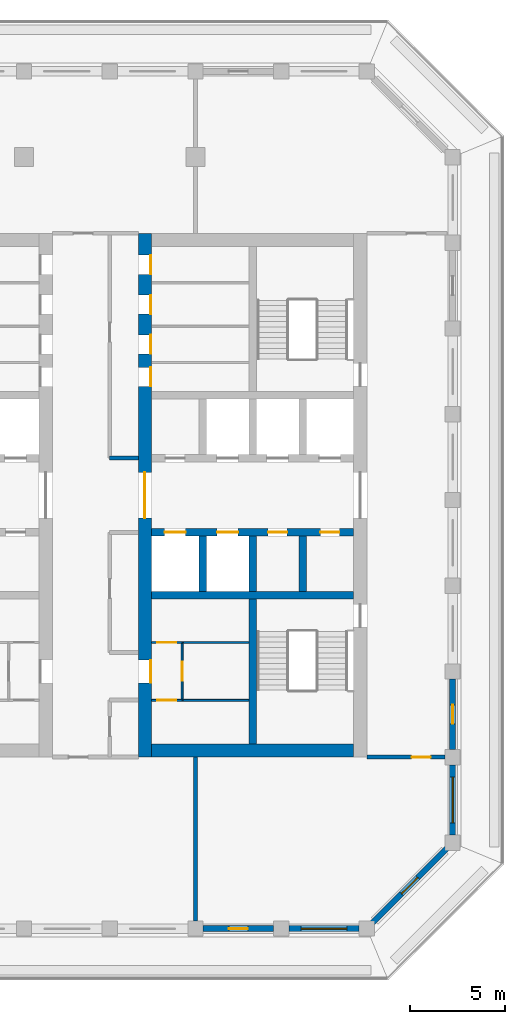
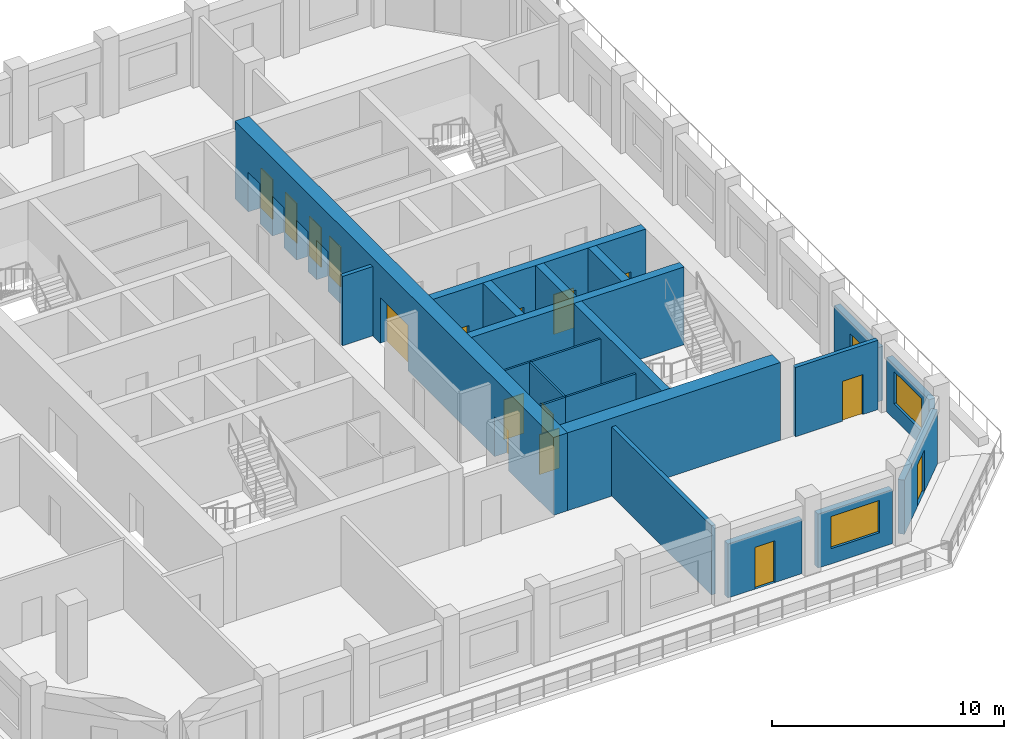
# One storey, part 4 of 14: 21 walls, 17 doors, 2 windows, 19 openings.
"""IFC4 building model written with IfcOpenShell, lengths in metres."""

from ifc_helpers import new_model, si_unit, direction, frame, frame_2d, origin, place, context, subcontext, project, spatial, rectangle, extrude, material, layer, layer_set, type_object, element, fill, save


model = new_model("IFC4")

# Units and contexts
model_context = context("Model", 3, precision=1e-05, world=origin(), true_north=direction((0.0, 1.0)))
body_context = subcontext(model_context, "Body", "Model", "MODEL_VIEW")
ifc_project = project(units=[si_unit("LENGTHUNIT", "METRE"), si_unit("AREAUNIT", "SQUARE_METRE"), si_unit("VOLUMEUNIT", "CUBIC_METRE"), si_unit("PLANEANGLEUNIT", "RADIAN"), si_unit("MASSUNIT", "GRAM", prefix="KILO")], contexts=[model_context])

# Site, building, storey
site_placement = place(None, origin())
site = spatial("IfcSite", under=ifc_project, at=site_placement, CompositionType="ELEMENT")
building_placement = place(site_placement, origin())
building = spatial("IfcBuilding", under=site, at=building_placement, Name="Corbel Stack Research Tower", CompositionType="ELEMENT")
storey_placement = place(building_placement, frame((0.0, 0.0, 278.60009765625)))
storey = spatial("IfcBuildingStorey", under=building, at=storey_placement, Name="L63", CompositionType="ELEMENT", Elevation=278.60009765625)

# Wall
ifc_material_1 = material(Name="Concrete C60/75", Category="concrete")
ifc_layer_1 = layer(ifc_material_1, 0.39990234375)
ifc_layer_set_1 = layer_set([ifc_layer_1], Name="Concrete C60/75")
wall_type_1 = type_object("IfcWallType", Name="CW-400-60", PredefinedType="SHEAR", material=ifc_layer_set_1)
wall_1_placement = place(storey_placement, frame((6.699951171875, -0.5, 0.0), z_axis=(0.0, 0.0, 1.0), x_axis=(1.0, 0.0, 0.0)))
element("IfcWall", 1, at=wall_1_placement, inside=storey, type_object=wall_type_1, Name="East core wall, south row back L63", PredefinedType="SHEAR", context=body_context, shape_type="SweptSolid", body=[
    extrude(rectangle(XDim=10.60009765625, YDim=0.39990234375, at=frame_2d((5.300048828125, 0.0))), origin(), (0.0, 0.0, 1.0), 4.099853515625),
])

# Wall, openings, doors
wall_2_placement = place(storey_placement, frame((6.699951171875, 2.800048828125, 0.0), z_axis=(0.0, 0.0, 1.0), x_axis=(1.0, 0.0, 0.0)))
wall_2 = element("IfcWall", 2, at=wall_2_placement, inside=storey, type_object=wall_type_1, Name="East core wall, lobby south L63", PredefinedType="SHEAR", context=body_context, shape_type="SweptSolid", body=[
    extrude(rectangle(XDim=10.60009765625, YDim=0.39990234375, at=frame_2d((5.300048828125, 0.0))), origin(), (0.0, 0.0, 1.0), 4.099853515625),
])
opening_1_placement = place(wall_2_placement, frame((0.6875, 0.0, 0.0)))
opening_1 = element("IfcOpeningElement", 3, at=opening_1_placement, cuts=wall_2, Name="Opening LD-FS2", PredefinedType="OPENING", context=body_context, shape_type="SweptSolid", body=[
    extrude(rectangle(XDim=1.10009765625, YDim=2.10009765625, at=frame_2d((0.550048828125, 1.050048828125))), frame((0.0, 0.2099609375, 0.0), z_axis=(0.0, -1.0, 0.0), x_axis=(1.0, 0.0, 0.0)), (0.0, 0.0, 1.0), 0.419921875),
])
opening_2_placement = place(wall_2_placement, frame((3.4375, 0.0, 0.0)))
opening_2 = element("IfcOpeningElement", 4, at=opening_2_placement, cuts=wall_2, Name="Opening LD-GL2", PredefinedType="OPENING", context=body_context, shape_type="SweptSolid", body=[
    extrude(rectangle(XDim=1.10009765625, YDim=2.10009765625, at=frame_2d((0.550048828125, 1.050048828125))), frame((0.0, 0.2099609375, 0.0), z_axis=(0.0, -1.0, 0.0), x_axis=(1.0, 0.0, 0.0)), (0.0, 0.0, 1.0), 0.419921875),
])
opening_3_placement = place(wall_2_placement, frame((6.112548828125, 0.0, 0.0)))
opening_3 = element("IfcOpeningElement", 5, at=opening_3_placement, cuts=wall_2, Name="Opening CR-E36-S3", PredefinedType="OPENING", context=body_context, shape_type="SweptSolid", body=[
    extrude(rectangle(XDim=1.0, YDim=2.10009765625, at=frame_2d((0.5, 1.050048828125))), frame((0.0, 0.2099609375, 0.0), z_axis=(0.0, -1.0, 0.0), x_axis=(1.0, 0.0, 0.0)), (0.0, 0.0, 1.0), 0.419921875),
])
opening_4_placement = place(wall_2_placement, frame((8.862548828125, 0.0, 0.0)))
opening_4 = element("IfcOpeningElement", 6, at=opening_4_placement, cuts=wall_2, Name="Opening CR-E36-S4", PredefinedType="OPENING", context=body_context, shape_type="SweptSolid", body=[
    extrude(rectangle(XDim=1.0, YDim=2.10009765625, at=frame_2d((0.5, 1.050048828125))), frame((0.0, 0.2099609375, 0.0), z_axis=(0.0, -1.0, 0.0), x_axis=(1.0, 0.0, 0.0)), (0.0, 0.0, 1.0), 0.419921875),
])
ifc_material_2 = material(Name="Stainless steel landing door", Category="steel")
door_type_1 = type_object("IfcDoorType", Name="Lift landing door 1100 x 2100", OperationType="DOUBLE_DOOR_SLIDING", PredefinedType="DOOR", material=ifc_material_2)
door_1_placement = place(opening_1_placement, origin())
door_1 = element("IfcDoor", 7, at=door_1_placement, inside=storey, type_object=door_type_1, Name="Landing door FS2", OperationType="DOUBLE_DOOR_SLIDING", OverallHeight=2.10009765625, OverallWidth=1.10009765625, PredefinedType="DOOR", context=body_context, shape_type="SweptSolid", body=[
    extrude(rectangle(XDim=1.10009765625, YDim=2.10009765625, at=frame_2d((0.550048828125, 1.050048828125))), frame((0.0, 0.02490234375, 0.0), z_axis=(0.0, -1.0, 0.0), x_axis=(1.0, 0.0, 0.0)), (0.0, 0.0, 1.0), 0.050048828125),
])
fill(opening_1, door_1)
door_2_placement = place(opening_2_placement, origin())
door_2 = element("IfcDoor", 8, at=door_2_placement, inside=storey, type_object=door_type_1, Name="Landing door GL2", OperationType="DOUBLE_DOOR_SLIDING", OverallHeight=2.10009765625, OverallWidth=1.10009765625, PredefinedType="DOOR", context=body_context, shape_type="SweptSolid", body=[
    extrude(rectangle(XDim=1.10009765625, YDim=2.10009765625, at=frame_2d((0.550048828125, 1.050048828125))), frame((0.0, 0.02490234375, 0.0), z_axis=(0.0, -1.0, 0.0), x_axis=(1.0, 0.0, 0.0)), (0.0, 0.0, 1.0), 0.050048828125),
])
fill(opening_2, door_2)
ifc_material_3 = material(Name="Painted steel door", Category="steel")
door_type_2 = type_object("IfcDoorType", Name="Service door 1000 x 2100 FD60 left hand", OperationType="SINGLE_SWING_LEFT", PredefinedType="DOOR", material=ifc_material_3)
door_3_placement = place(opening_3_placement, origin())
door_3 = element("IfcDoor", 9, at=door_3_placement, inside=storey, type_object=door_type_2, Name="Mechanical room door E core", OperationType="SINGLE_SWING_LEFT", OverallHeight=2.10009765625, OverallWidth=1.0, PredefinedType="DOOR", context=body_context, shape_type="SweptSolid", body=[
    extrude(rectangle(XDim=1.0, YDim=2.10009765625, at=frame_2d((0.5, 1.050048828125))), frame((0.0, 0.02490234375, 0.0), z_axis=(0.0, -1.0, 0.0), x_axis=(1.0, 0.0, 0.0)), (0.0, 0.0, 1.0), 0.050048828125),
])
fill(opening_3, door_3)
ifc_material_4 = material(Name="Painted steel door", Category="steel")
door_type_3 = type_object("IfcDoorType", Name="Service door 1000 x 2100 FD60 right hand", OperationType="SINGLE_SWING_RIGHT", PredefinedType="DOOR", material=ifc_material_4)
door_4_placement = place(opening_4_placement, origin())
door_4 = element("IfcDoor", 10, at=door_4_placement, inside=storey, type_object=door_type_3, Name="Telecom room door E core", OperationType="SINGLE_SWING_RIGHT", OverallHeight=2.10009765625, OverallWidth=1.0, PredefinedType="DOOR", context=body_context, shape_type="SweptSolid", body=[
    extrude(rectangle(XDim=1.0, YDim=2.10009765625, at=frame_2d((0.5, 1.050048828125))), frame((0.0, 0.02490234375, 0.0), z_axis=(0.0, -1.0, 0.0), x_axis=(1.0, 0.0, 0.0)), (0.0, 0.0, 1.0), 0.050048828125),
])
fill(opening_4, door_4)

# Walls
for number, where, z_axis, x_axis, name in (
    (11, (9.375, -0.300048828125, 0.0), (0.0, 0.0, 1.0), (0.0, 1.0, 0.0), "East core wall, south shaft 1 L63"),
    (12, (12.0, -0.300048828125, 0.0), (0.0, 0.0, 1.0), (0.0, 1.0, 0.0), "East core wall, south shaft 2 L63"),
    (13, (14.625, -0.300048828125, 0.0), (0.0, 0.0, 1.0), (0.0, 1.0, 0.0), "East core wall, south shaft 3 L63"),
):
    element("IfcWall", number, at=place(storey_placement, frame(where, z_axis=z_axis, x_axis=x_axis)), inside=storey, type_object=wall_type_1, Name=name, PredefinedType="SHEAR", context=body_context, shape_type="SweptSolid", body=[
        extrude(rectangle(XDim=2.900146484375, YDim=0.39990234375, at=frame_2d((1.4501953125, 0.0))), origin(), (0.0, 0.0, 1.0), 4.099853515625),
    ])
wall_3_placement = place(storey_placement, frame((12.0, -8.300048828125, 0.0), z_axis=(0.0, 0.0, 1.0), x_axis=(0.0, 1.0, 0.0)))
element("IfcWall", 14, at=wall_3_placement, inside=storey, type_object=wall_type_1, Name="East core wall, south stair and WC L63", PredefinedType="SHEAR", context=body_context, shape_type="SweptSolid", body=[
    extrude(rectangle(XDim=7.60009765625, YDim=0.39990234375, at=frame_2d((3.800048828125, 0.0))), origin(), (0.0, 0.0, 1.0), 4.099853515625),
])

# Wall, openings, doors
ifc_material_5 = material(Name="Concrete C60/75", Category="concrete")
ifc_layer_2 = layer(ifc_material_5, 0.699951171875)
ifc_layer_set_2 = layer_set([ifc_layer_2], Name="Concrete C60/75")
wall_type_2 = type_object("IfcWallType", Name="CW-700-60", PredefinedType="SHEAR", material=ifc_layer_set_2)
wall_4_placement = place(storey_placement, frame((6.35009765625, -9.0, 0.0), z_axis=(0.0, 0.0, 1.0), x_axis=(0.0, 1.0, 0.0)))
wall_4 = element("IfcWall", 15, at=wall_4_placement, inside=storey, type_object=wall_type_2, Name="East core wall, west face L63", PredefinedType="SHEAR", context=body_context, shape_type="SweptSolid", body=[
    extrude(rectangle(XDim=27.5, YDim=0.699951171875, at=frame_2d((13.75, 0.0))), origin(), (0.0, 0.0, 1.0), 4.099853515625),
])
opening_5_placement = place(wall_4_placement, frame((12.550048828125, 0.0, 0.0)))
opening_5 = element("IfcOpeningElement", 16, at=opening_5_placement, cuts=wall_4, Name="Opening CD-E-W", PredefinedType="OPENING", context=body_context, shape_type="SweptSolid", body=[
    extrude(rectangle(XDim=2.39990234375, YDim=2.39990234375, at=frame_2d((1.199951171875, 1.199951171875))), frame((0.0, 0.35986328125, 0.0), z_axis=(0.0, -1.0, 0.0), x_axis=(1.0, 0.0, 0.0)), (0.0, 0.0, 1.0), 0.719970703125),
])
opening_6_placement = place(wall_4_placement, frame((3.89990234375, 0.0, 0.0)))
opening_6 = element("IfcOpeningElement", 17, at=opening_6_placement, cuts=wall_4, Name="Opening CR-E36-W1-1200", PredefinedType="OPENING", context=body_context, shape_type="SweptSolid", body=[
    extrude(rectangle(XDim=1.199951171875, YDim=2.10009765625, at=frame_2d((0.60009765625, 1.050048828125))), frame((0.0, 0.35986328125, 0.0), z_axis=(0.0, -1.0, 0.0), x_axis=(1.0, 0.0, 0.0)), (0.0, 0.0, 1.0), 0.719970703125),
])
opening_7_placement = place(wall_4_placement, frame((19.4599609375, 0.0, 0.0)))
opening_7 = element("IfcOpeningElement", 18, at=opening_7_placement, cuts=wall_4, Name="Opening CR-E36-R1-1000", PredefinedType="OPENING", context=body_context, shape_type="SweptSolid", body=[
    extrude(rectangle(XDim=1.0, YDim=2.10009765625, at=frame_2d((0.5, 1.050048828125))), frame((0.0, 0.35986328125, 0.0), z_axis=(0.0, -1.0, 0.0), x_axis=(1.0, 0.0, 0.0)), (0.0, 0.0, 1.0), 0.719970703125),
])
opening_8_placement = place(wall_4_placement, frame((21.169921875, 0.0, 0.0)))
opening_8 = element("IfcOpeningElement", 19, at=opening_8_placement, cuts=wall_4, Name="Opening CR-E36-R2-1000", PredefinedType="OPENING", context=body_context, shape_type="SweptSolid", body=[
    extrude(rectangle(XDim=1.0, YDim=2.10009765625, at=frame_2d((0.5, 1.050048828125))), frame((0.0, 0.35986328125, 0.0), z_axis=(0.0, -1.0, 0.0), x_axis=(1.0, 0.0, 0.0)), (0.0, 0.0, 1.0), 0.719970703125),
])
opening_9_placement = place(wall_4_placement, frame((23.260009765625, 0.0, 0.0)))
opening_9 = element("IfcOpeningElement", 20, at=opening_9_placement, cuts=wall_4, Name="Opening CR-E36-R3-1000", PredefinedType="OPENING", context=body_context, shape_type="SweptSolid", body=[
    extrude(rectangle(XDim=1.0, YDim=2.10009765625, at=frame_2d((0.5, 1.050048828125))), frame((0.0, 0.35986328125, 0.0), z_axis=(0.0, -1.0, 0.0), x_axis=(1.0, 0.0, 0.0)), (0.0, 0.0, 1.0), 0.719970703125),
])
opening_10_placement = place(wall_4_placement, frame((25.35009765625, 0.0, 0.0)))
opening_10 = element("IfcOpeningElement", 21, at=opening_10_placement, cuts=wall_4, Name="Opening CR-E36-R4-1000", PredefinedType="OPENING", context=body_context, shape_type="SweptSolid", body=[
    extrude(rectangle(XDim=1.0, YDim=2.10009765625, at=frame_2d((0.5, 1.050048828125))), frame((0.0, 0.35986328125, 0.0), z_axis=(0.0, -1.0, 0.0), x_axis=(1.0, 0.0, 0.0)), (0.0, 0.0, 1.0), 0.719970703125),
])
ifc_material_6 = material(Name="Painted steel fire door", Category="steel")
door_type_4 = type_object("IfcDoorType", Name="Lobby door pair 2400 x 2400 FD30S", OperationType="DOUBLE_DOOR_DOUBLE_SWING", PredefinedType="DOOR", material=ifc_material_6)
door_5_placement = place(opening_5_placement, origin())
door_5 = element("IfcDoor", 22, at=door_5_placement, inside=storey, type_object=door_type_4, Name="Lift lobby door E core W", OperationType="DOUBLE_DOOR_DOUBLE_SWING", OverallHeight=2.39990234375, OverallWidth=2.39990234375, PredefinedType="DOOR", context=body_context, shape_type="SweptSolid", body=[
    extrude(rectangle(XDim=2.39990234375, YDim=2.39990234375, at=frame_2d((1.199951171875, 1.199951171875))), frame((0.0, 0.02490234375, 0.0), z_axis=(0.0, -1.0, 0.0), x_axis=(1.0, 0.0, 0.0)), (0.0, 0.0, 1.0), 0.050048828125),
])
fill(opening_5, door_5)
ifc_material_7 = material(Name="Painted steel door", Category="steel")
door_type_5 = type_object("IfcDoorType", Name="Riser door 1000 x 2100 FD60 left hand", OperationType="SINGLE_SWING_LEFT", PredefinedType="DOOR", material=ifc_material_7)
door_6_placement = place(opening_8_placement, origin())
door_6 = element("IfcDoor", 23, at=door_6_placement, inside=storey, type_object=door_type_5, Name="Telecom room door E core", OperationType="SINGLE_SWING_LEFT", OverallHeight=2.10009765625, OverallWidth=1.0, PredefinedType="DOOR", context=body_context, shape_type="SweptSolid", body=[
    extrude(rectangle(XDim=1.0, YDim=2.10009765625, at=frame_2d((0.5, 1.050048828125))), frame((0.0, -0.27490234375, 0.0), z_axis=(0.0, -1.0, 0.0), x_axis=(1.0, 0.0, 0.0)), (0.0, 0.0, 1.0), 0.050048828125),
])
fill(opening_8, door_6)
ifc_material_8 = material(Name="Painted steel door", Category="steel")
door_type_6 = type_object("IfcDoorType", Name="Riser door 1000 x 2100 FD60 right hand", OperationType="SINGLE_SWING_RIGHT", PredefinedType="DOOR", material=ifc_material_8)
door_7_placement = place(opening_7_placement, origin())
door_7 = element("IfcDoor", 24, at=door_7_placement, inside=storey, type_object=door_type_6, Name="Electrical riser door E core", OperationType="SINGLE_SWING_RIGHT", OverallHeight=2.10009765625, OverallWidth=1.0, PredefinedType="DOOR", context=body_context, shape_type="SweptSolid", body=[
    extrude(rectangle(XDim=1.0, YDim=2.10009765625, at=frame_2d((0.5, 1.050048828125))), frame((0.0, -0.27490234375, 0.0), z_axis=(0.0, -1.0, 0.0), x_axis=(1.0, 0.0, 0.0)), (0.0, 0.0, 1.0), 0.050048828125),
])
fill(opening_7, door_7)
ifc_material_9 = material(Name="Painted steel door", Category="steel")
door_type_7 = type_object("IfcDoorType", Name="Service door 1000 x 2100 FD30 left hand", OperationType="SINGLE_SWING_LEFT", PredefinedType="DOOR", material=ifc_material_9)
door_8_placement = place(opening_10_placement, origin())
door_8 = element("IfcDoor", 25, at=door_8_placement, inside=storey, type_object=door_type_7, Name="Cleaner's store door E core", OperationType="SINGLE_SWING_LEFT", OverallHeight=2.10009765625, OverallWidth=1.0, PredefinedType="DOOR", context=body_context, shape_type="SweptSolid", body=[
    extrude(rectangle(XDim=1.0, YDim=2.10009765625, at=frame_2d((0.5, 1.050048828125))), frame((0.0, -0.27490234375, 0.0), z_axis=(0.0, -1.0, 0.0), x_axis=(1.0, 0.0, 0.0)), (0.0, 0.0, 1.0), 0.050048828125),
])
fill(opening_10, door_8)
ifc_material_10 = material(Name="Painted steel door", Category="steel")
door_type_8 = type_object("IfcDoorType", Name="Service door 1000 x 2100 FD30 right hand", OperationType="SINGLE_SWING_RIGHT", PredefinedType="DOOR", material=ifc_material_10)
door_9_placement = place(opening_9_placement, origin())
door_9 = element("IfcDoor", 26, at=door_9_placement, inside=storey, type_object=door_type_8, Name="Pantry door E core", OperationType="SINGLE_SWING_RIGHT", OverallHeight=2.10009765625, OverallWidth=1.0, PredefinedType="DOOR", context=body_context, shape_type="SweptSolid", body=[
    extrude(rectangle(XDim=1.0, YDim=2.10009765625, at=frame_2d((0.5, 1.050048828125))), frame((0.0, -0.27490234375, 0.0), z_axis=(0.0, -1.0, 0.0), x_axis=(1.0, 0.0, 0.0)), (0.0, 0.0, 1.0), 0.050048828125),
])
fill(opening_9, door_9)
ifc_material_11 = material(Name="Painted timber door", Category="wood")
door_type_9 = type_object("IfcDoorType", Name="WC door 1200 x 2100 right hand", OperationType="SINGLE_SWING_RIGHT", PredefinedType="DOOR", material=ifc_material_11)
door_10_placement = place(opening_6_placement, origin())
door_10 = element("IfcDoor", 27, at=door_10_placement, inside=storey, type_object=door_type_9, Name="WC lobby door E core", OperationType="SINGLE_SWING_RIGHT", OverallHeight=2.10009765625, OverallWidth=1.199951171875, PredefinedType="DOOR", context=body_context, shape_type="SweptSolid", body=[
    extrude(rectangle(XDim=1.199951171875, YDim=2.10009765625, at=frame_2d((0.60009765625, 1.050048828125))), frame((0.0, -0.27490234375, 0.0), z_axis=(0.0, -1.0, 0.0), x_axis=(1.0, 0.0, 0.0)), (0.0, 0.0, 1.0), 0.050048828125),
])
fill(opening_6, door_10)

# Wall
wall_5_placement = place(storey_placement, frame((6.699951171875, -8.64990234375, 0.0), z_axis=(0.0, 0.0, 1.0), x_axis=(1.0, 0.0, 0.0)))
element("IfcWall", 28, at=wall_5_placement, inside=storey, type_object=wall_type_2, Name="East core wall, south end L63", PredefinedType="SHEAR", context=body_context, shape_type="SweptSolid", body=[
    extrude(rectangle(XDim=10.60009765625, YDim=0.699951171875, at=frame_2d((5.300048828125, 0.0))), origin(), (0.0, 0.0, 1.0), 4.099853515625),
])

# Wall, opening, door
ifc_material_12 = material(Name="Gypsum board")
ifc_layer_3 = layer(ifc_material_12, 0.10009765625)
ifc_layer_set_3 = layer_set([ifc_layer_3], Name="Gypsum board")
wall_type_3 = type_object("IfcWallType", Name="Core partition 100", PredefinedType="PARTITIONING", material=ifc_layer_set_3)
wall_6_placement = place(storey_placement, frame((6.699951171875, -6.02001953125, 0.0), z_axis=(0.0, 0.0, 1.0), x_axis=(1.0, 0.0, 0.0)))
wall_6 = element("IfcWall", 29, at=wall_6_placement, inside=storey, type_object=wall_type_3, Name="Core partition E", PredefinedType="PARTITIONING", context=body_context, shape_type="SweptSolid", body=[
    extrude(rectangle(XDim=1.60009765625, YDim=0.10009765625, at=frame_2d((0.800048828125, 0.0))), origin(), (0.0, 0.0, 1.0), 3.64990234375),
])
opening_11_placement = place(wall_6_placement, frame((0.300048828125, 0.0, 0.0)))
opening_11 = element("IfcOpeningElement", 30, at=opening_11_placement, cuts=wall_6, Name="Opening CR-E36-W2-1000", PredefinedType="OPENING", context=body_context, shape_type="SweptSolid", body=[
    extrude(rectangle(XDim=1.0, YDim=2.10009765625, at=frame_2d((0.5, 1.050048828125))), frame((0.0, 0.06005859375, 0.0), z_axis=(0.0, -1.0, 0.0), x_axis=(1.0, 0.0, 0.0)), (0.0, 0.0, 1.0), 0.1201171875),
])
ifc_material_13 = material(Name="Painted timber door", Category="wood")
door_type_10 = type_object("IfcDoorType", Name="WC door 1000 x 2100 left hand", OperationType="SINGLE_SWING_LEFT", PredefinedType="DOOR", material=ifc_material_13)
door_11_placement = place(opening_11_placement, origin())
door_11 = element("IfcDoor", 31, at=door_11_placement, inside=storey, type_object=door_type_10, Name="Men's WC door E core", OperationType="SINGLE_SWING_LEFT", OverallHeight=2.10009765625, OverallWidth=1.0, PredefinedType="DOOR", context=body_context, shape_type="SweptSolid", body=[
    extrude(rectangle(XDim=1.0, YDim=2.10009765625, at=frame_2d((0.5, 1.050048828125))), frame((0.0, 0.02490234375, 0.0), z_axis=(0.0, -1.0, 0.0), x_axis=(1.0, 0.0, 0.0)), (0.0, 0.0, 1.0), 0.050048828125),
])
fill(opening_11, door_11)

wall_7_placement = place(storey_placement, frame((6.699951171875, -2.97998046875, 0.0), z_axis=(0.0, 0.0, 1.0), x_axis=(1.0, 0.0, 0.0)))
wall_7 = element("IfcWall", 32, at=wall_7_placement, inside=storey, type_object=wall_type_3, Name="Core partition E", PredefinedType="PARTITIONING", context=body_context, shape_type="SweptSolid", body=[
    extrude(rectangle(XDim=1.60009765625, YDim=0.10009765625, at=frame_2d((0.800048828125, 0.0))), origin(), (0.0, 0.0, 1.0), 3.64990234375),
])
opening_12_placement = place(wall_7_placement, frame((0.300048828125, 0.0, 0.0)))
opening_12 = element("IfcOpeningElement", 33, at=opening_12_placement, cuts=wall_7, Name="Opening CR-E36-W3-1000", PredefinedType="OPENING", context=body_context, shape_type="SweptSolid", body=[
    extrude(rectangle(XDim=1.0, YDim=2.10009765625, at=frame_2d((0.5, 1.050048828125))), frame((0.0, 0.06005859375, 0.0), z_axis=(0.0, -1.0, 0.0), x_axis=(1.0, 0.0, 0.0)), (0.0, 0.0, 1.0), 0.1201171875),
])
ifc_material_14 = material(Name="Painted timber door", Category="wood")
door_type_11 = type_object("IfcDoorType", Name="WC door 1000 x 2100 right hand", OperationType="SINGLE_SWING_RIGHT", PredefinedType="DOOR", material=ifc_material_14)
door_12_placement = place(opening_12_placement, origin())
door_12 = element("IfcDoor", 34, at=door_12_placement, inside=storey, type_object=door_type_11, Name="Women's WC door E core", OperationType="SINGLE_SWING_RIGHT", OverallHeight=2.10009765625, OverallWidth=1.0, PredefinedType="DOOR", context=body_context, shape_type="SweptSolid", body=[
    extrude(rectangle(XDim=1.0, YDim=2.10009765625, at=frame_2d((0.5, 1.050048828125))), frame((0.0, 0.02490234375, 0.0), z_axis=(0.0, -1.0, 0.0), x_axis=(1.0, 0.0, 0.0)), (0.0, 0.0, 1.0), 0.050048828125),
])
fill(opening_12, door_12)

wall_8_placement = place(storey_placement, frame((8.300048828125, -6.02001953125, 0.0), z_axis=(0.0, 0.0, 1.0), x_axis=(0.0, 1.0, 0.0)))
wall_8 = element("IfcWall", 35, at=wall_8_placement, inside=storey, type_object=wall_type_3, Name="Core partition E", PredefinedType="PARTITIONING", context=body_context, shape_type="SweptSolid", body=[
    extrude(rectangle(XDim=3.0400390625, YDim=0.10009765625, at=frame_2d((1.52001953125, 0.0))), origin(), (0.0, 0.0, 1.0), 3.64990234375),
])
opening_13_placement = place(wall_8_placement, frame((1.02001953125, 0.0, 0.0)))
opening_13 = element("IfcOpeningElement", 36, at=opening_13_placement, cuts=wall_8, Name="Opening CR-E36-W4-1000", PredefinedType="OPENING", context=body_context, shape_type="SweptSolid", body=[
    extrude(rectangle(XDim=1.0, YDim=2.10009765625, at=frame_2d((0.5, 1.050048828125))), frame((0.0, 0.06005859375, 0.0), z_axis=(0.0, -1.0, 0.0), x_axis=(1.0, 0.0, 0.0)), (0.0, 0.0, 1.0), 0.1201171875),
])
door_13_placement = place(opening_13_placement, origin())
door_13 = element("IfcDoor", 37, at=door_13_placement, inside=storey, type_object=door_type_10, Name="Accessible WC door E core", OperationType="SINGLE_SWING_LEFT", OverallHeight=2.10009765625, OverallWidth=1.0, PredefinedType="DOOR", context=body_context, shape_type="SweptSolid", body=[
    extrude(rectangle(XDim=1.0, YDim=2.10009765625, at=frame_2d((0.5, 1.050048828125))), frame((0.0, 0.02490234375, 0.0), z_axis=(0.0, -1.0, 0.0), x_axis=(1.0, 0.0, 0.0)), (0.0, 0.0, 1.0), 0.050048828125),
])
fill(opening_13, door_13)

# Walls
for number, where, z_axis, x_axis, name in (
    (38, (8.300048828125, -6.02001953125, 0.0), (0.0, 0.0, 1.0), (1.0, 0.0, 0.0), "Core partition E"),
    (39, (8.300048828125, -2.97998046875, 0.0), (0.0, 0.0, 1.0), (1.0, 0.0, 0.0), "Core partition E"),
):
    element("IfcWall", number, at=place(storey_placement, frame(where, z_axis=z_axis, x_axis=x_axis)), inside=storey, type_object=wall_type_3, Name=name, PredefinedType="PARTITIONING", context=body_context, shape_type="SweptSolid", body=[
        extrude(rectangle(XDim=3.5, YDim=0.10009765625, at=frame_2d((1.75, 0.0))), origin(), (0.0, 0.0, 1.0), 3.64990234375),
    ])
ifc_material_15 = material(Name="Fire-rated gypsum board partition on steel studs", Category="steel")
ifc_layer_4 = layer(ifc_material_15, 0.199951171875)
ifc_layer_set_4 = layer_set([ifc_layer_4], Name="Fire-rated gypsum board partition on steel studs")
wall_type_4 = type_object("IfcWallType", Name="Fire-rated partition 200 EI 60", PredefinedType="PARTITIONING", material=ifc_layer_set_4)
wall_9_placement = place(storey_placement, frame((9.0, -17.60009765625, 0.0), z_axis=(0.0, 0.0, 1.0), x_axis=(0.0, 1.0, 0.0)))
element("IfcWall", 40, at=wall_9_placement, inside=storey, type_object=wall_type_4, Name="Partition L63-008", PredefinedType="PARTITIONING", context=body_context, shape_type="SweptSolid", body=[
    extrude(rectangle(XDim=8.60009765625, YDim=0.199951171875, at=frame_2d((4.300048828125, 0.0))), origin(), (0.0, 0.0, 1.0), 3.64990234375),
])

# Wall, opening, door
wall_10_placement = place(storey_placement, frame((22.10009765625, -9.0, 0.0), z_axis=(0.0, 0.0, 1.0), x_axis=(-1.0, 0.0, 0.0)))
wall_10 = element("IfcWall", 41, at=wall_10_placement, inside=storey, type_object=wall_type_4, Name="Partition L63-013", PredefinedType="PARTITIONING", context=body_context, shape_type="SweptSolid", body=[
    extrude(rectangle(XDim=4.10009765625, YDim=0.199951171875, at=frame_2d((2.050048828125, 0.0))), origin(), (0.0, 0.0, 1.0), 3.64990234375),
])
opening_14_placement = place(wall_10_placement, frame((0.75, 0.0, 0.0)))
opening_14 = element("IfcOpeningElement", 42, at=opening_14_placement, cuts=wall_10, Name="Opening B8V1-005", PredefinedType="OPENING", context=body_context, shape_type="SweptSolid", body=[
    extrude(rectangle(XDim=1.0, YDim=2.10009765625, at=frame_2d((0.5, 1.050048828125))), frame((0.0, 0.10986328125, 0.0), z_axis=(0.0, -1.0, 0.0), x_axis=(1.0, 0.0, 0.0)), (0.0, 0.0, 1.0), 0.219970703125),
])
ifc_material_16 = material(Name="Painted steel fire door", Category="steel")
door_type_12 = type_object("IfcDoorType", Name="Fire door FD30S 1000 x 2100", OperationType="NOTDEFINED", PredefinedType="DOOR", material=ifc_material_16)
door_14_placement = place(opening_14_placement, origin())
door_14 = element("IfcDoor", 43, at=door_14_placement, inside=storey, type_object=door_type_12, Name="Door B8V1-005", OperationType="SINGLE_SWING_LEFT", OverallHeight=2.10009765625, OverallWidth=1.0, PredefinedType="DOOR", context=body_context, shape_type="SweptSolid", body=[
    extrude(rectangle(XDim=1.0, YDim=2.10009765625, at=frame_2d((0.5, 1.050048828125))), frame((0.0, 0.02490234375, 0.0), z_axis=(0.0, -1.0, 0.0), x_axis=(1.0, 0.0, 0.0)), (0.0, 0.0, 1.0), 0.050048828125),
])
fill(opening_14, door_14)

# Wall
wall_11_placement = place(storey_placement, frame((4.5, 6.699951171875, 0.0), z_axis=(0.0, 0.0, 1.0), x_axis=(1.0, 0.0, 0.0)))
element("IfcWall", 44, at=wall_11_placement, inside=storey, type_object=wall_type_4, Name="Partition L63-020", PredefinedType="PARTITIONING", context=body_context, shape_type="SweptSolid", body=[
    extrude(rectangle(XDim=1.5, YDim=0.199951171875, at=frame_2d((0.75, 0.0))), origin(), (0.0, 0.0, 1.0), 3.64990234375),
])

# Wall, opening, door
ifc_material_17 = material(Name="Concrete C45/55", Category="concrete")
ifc_layer_5 = layer(ifc_material_17, 0.300048828125)
ifc_layer_set_5 = layer_set([ifc_layer_5], Name="Concrete C45/55")
wall_type_5 = type_object("IfcWallType", Name="Terracotta-faced concrete wall 300", PredefinedType="SOLIDWALL", material=ifc_layer_set_5)
wall_12_placement = place(storey_placement, frame((13.10009765625, -18.0, 0.0), z_axis=(0.0, 0.0, 1.0), x_axis=(-1.0, 0.0, 0.0)))
wall_12 = element("IfcWall", 45, at=wall_12_placement, inside=storey, type_object=wall_type_5, Name="Facade wall L63 S07", PredefinedType="SOLIDWALL", context=body_context, shape_type="SweptSolid", body=[
    extrude(rectangle(XDim=3.7001953125, YDim=0.300048828125, at=frame_2d((1.85009765625, 0.0))), origin(), (0.0, 0.0, 1.0), 2.849853515625),
])
opening_15_placement = place(wall_12_placement, frame((1.35009765625, 0.0, 0.0)))
opening_15 = element("IfcOpeningElement", 46, at=opening_15_placement, cuts=wall_12, Name="Opening L63-B02", PredefinedType="OPENING", context=body_context, shape_type="SweptSolid", body=[
    extrude(rectangle(XDim=1.0, YDim=2.199951171875, at=frame_2d((0.5, 1.10009765625))), frame((0.0, 0.159912109375, 0.0), z_axis=(0.0, -1.0, 0.0), x_axis=(1.0, 0.0, 0.0)), (0.0, 0.0, 1.0), 0.320068359375),
])
ifc_material_18 = material(Name="Aluminium frame, clear double glazing", Category="aluminium")
door_type_13 = type_object("IfcDoorType", Name="Balcony door BD1 1000 x 2200", OperationType="NOTDEFINED", PredefinedType="DOOR", material=ifc_material_18)
door_15_placement = place(opening_15_placement, origin())
door_15 = element("IfcDoor", 47, at=door_15_placement, inside=storey, type_object=door_type_13, Name="Balcony door L63-B02", OperationType="SINGLE_SWING_RIGHT", OverallHeight=2.199951171875, OverallWidth=1.0, PredefinedType="DOOR", context=body_context, shape_type="SweptSolid", body=[
    extrude(rectangle(XDim=1.0, YDim=2.199951171875, at=frame_2d((0.5, 1.10009765625))), frame((0.0, 0.02490234375, 0.0), z_axis=(0.0, -1.0, 0.0), x_axis=(1.0, 0.0, 0.0)), (0.0, 0.0, 1.0), 0.050048828125),
])
fill(opening_15, door_15)

# Wall, opening, window
wall_13_placement = place(storey_placement, frame((17.60009765625, -18.0, 0.0), z_axis=(0.0, 0.0, 1.0), x_axis=(-1.0, 0.0, 0.0)))
wall_13 = element("IfcWall", 48, at=wall_13_placement, inside=storey, type_object=wall_type_5, Name="Facade wall L63 S08", PredefinedType="SOLIDWALL", context=body_context, shape_type="SweptSolid", body=[
    extrude(rectangle(XDim=3.7001953125, YDim=0.300048828125, at=frame_2d((1.85009765625, 0.0))), origin(), (0.0, 0.0, 1.0), 2.849853515625),
])
opening_16_placement = place(wall_13_placement, frame((0.64990234375, 0.0, 0.800048828125)))
opening_16 = element("IfcOpeningElement", 49, at=opening_16_placement, cuts=wall_13, Name="Opening W1", PredefinedType="OPENING", context=body_context, shape_type="SweptSolid", body=[
    extrude(rectangle(XDim=2.39990234375, YDim=1.699951171875, at=frame_2d((1.199951171875, 0.85009765625))), frame((0.0, 0.159912109375, 0.0), z_axis=(0.0, -1.0, 0.0), x_axis=(1.0, 0.0, 0.0)), (0.0, 0.0, 1.0), 0.320068359375),
])
ifc_material_19 = material(Name="Aluminium frame, clear double glazing", Category="aluminium")
window_type = type_object("IfcWindowType", Name="Window W1 2400 x 1700", PartitioningType="SINGLE_PANEL", PredefinedType="WINDOW", material=ifc_material_19)
window_1_placement = place(opening_16_placement, origin())
window_1 = element("IfcWindow", 50, at=window_1_placement, inside=storey, type_object=window_type, Name="Window W1 L63 S08", OverallHeight=1.699951171875, OverallWidth=2.39990234375, PartitioningType="SINGLE_PANEL", PredefinedType="WINDOW", context=body_context, shape_type="SweptSolid", body=[
    extrude(rectangle(XDim=2.39990234375, YDim=1.699951171875, at=frame_2d((1.199951171875, 0.85009765625))), frame((0.0, 0.030029296875, 0.0), z_axis=(0.0, -1.0, 0.0), x_axis=(1.0, 0.0, 0.0)), (0.0, 0.0, 1.0), 0.06005859375),
])
fill(opening_16, window_1)

# Wall, opening, door
wall_14_placement = place(storey_placement, frame((22.2060546875, -13.7939453125, 0.0), z_axis=(0.0, 0.0, 1.0), x_axis=(-0.707106781187, -0.707106781187, 0.0)))
wall_14 = element("IfcWall", 51, at=wall_14_placement, inside=storey, type_object=wall_type_5, Name="Facade wall L63 SE01", PredefinedType="SOLIDWALL", context=body_context, shape_type="SweptSolid", body=[
    extrude(rectangle(XDim=5.532470703125, YDim=0.300048828125, at=frame_2d((2.76611328125, 0.0))), origin(), (0.0, 0.0, 1.0), 2.849853515625),
])
opening_17_placement = place(wall_14_placement, frame((2.166259765625, 0.0, 0.0)))
opening_17 = element("IfcOpeningElement", 52, at=opening_17_placement, cuts=wall_14, Name="Opening L63-B03", PredefinedType="OPENING", context=body_context, shape_type="SweptSolid", body=[
    extrude(rectangle(XDim=1.199951171875, YDim=2.199951171875, at=frame_2d((0.60009765625, 1.10009765625))), frame((0.0, 0.159912109375, 0.0), z_axis=(0.0, -1.0, 0.0), x_axis=(1.0, 0.0, 0.0)), (0.0, 0.0, 1.0), 0.320068359375),
])
ifc_material_20 = material(Name="Aluminium frame, clear double glazing", Category="aluminium")
door_type_14 = type_object("IfcDoorType", Name="Balcony door BD2 1200 x 2200", OperationType="NOTDEFINED", PredefinedType="DOOR", material=ifc_material_20)
door_16_placement = place(opening_17_placement, origin())
door_16 = element("IfcDoor", 53, at=door_16_placement, inside=storey, type_object=door_type_14, Name="Balcony door L63-B03", OperationType="SINGLE_SWING_RIGHT", OverallHeight=2.199951171875, OverallWidth=1.199951171875, PredefinedType="DOOR", context=body_context, shape_type="SweptSolid", body=[
    extrude(rectangle(XDim=1.199951171875, YDim=2.199951171875, at=frame_2d((0.60009765625, 1.10009765625))), frame((0.0, 0.02490234375, 0.0), z_axis=(0.0, -1.0, 0.0), x_axis=(1.0, 0.0, 0.0)), (0.0, 0.0, 1.0), 0.050048828125),
])
fill(opening_17, door_16)

# Wall, opening, window
wall_15_placement = place(storey_placement, frame((22.5, -9.39990234375, 0.0), z_axis=(0.0, 0.0, 1.0), x_axis=(0.0, -1.0, 0.0)))
wall_15 = element("IfcWall", 54, at=wall_15_placement, inside=storey, type_object=wall_type_5, Name="Facade wall L63 E01", PredefinedType="SOLIDWALL", context=body_context, shape_type="SweptSolid", body=[
    extrude(rectangle(XDim=3.7001953125, YDim=0.300048828125, at=frame_2d((1.85009765625, 0.0))), origin(), (0.0, 0.0, 1.0), 2.849853515625),
])
opening_18_placement = place(wall_15_placement, frame((0.64990234375, 0.0, 0.800048828125)))
opening_18 = element("IfcOpeningElement", 55, at=opening_18_placement, cuts=wall_15, Name="Opening W1", PredefinedType="OPENING", context=body_context, shape_type="SweptSolid", body=[
    extrude(rectangle(XDim=2.39990234375, YDim=1.699951171875, at=frame_2d((1.199951171875, 0.85009765625))), frame((0.0, 0.159912109375, 0.0), z_axis=(0.0, -1.0, 0.0), x_axis=(1.0, 0.0, 0.0)), (0.0, 0.0, 1.0), 0.320068359375),
])
window_2_placement = place(opening_18_placement, origin())
window_2 = element("IfcWindow", 56, at=window_2_placement, inside=storey, type_object=window_type, Name="Window W1 L63 E01", OverallHeight=1.699951171875, OverallWidth=2.39990234375, PartitioningType="SINGLE_PANEL", PredefinedType="WINDOW", context=body_context, shape_type="SweptSolid", body=[
    extrude(rectangle(XDim=2.39990234375, YDim=1.699951171875, at=frame_2d((1.199951171875, 0.85009765625))), frame((0.0, 0.030029296875, 0.0), z_axis=(0.0, -1.0, 0.0), x_axis=(1.0, 0.0, 0.0)), (0.0, 0.0, 1.0), 0.06005859375),
])
fill(opening_18, window_2)

# Wall, opening, door
wall_16_placement = place(storey_placement, frame((22.5, -4.89990234375, 0.0), z_axis=(0.0, 0.0, 1.0), x_axis=(0.0, -1.0, 0.0)))
wall_16 = element("IfcWall", 57, at=wall_16_placement, inside=storey, type_object=wall_type_5, Name="Facade wall L63 E02", PredefinedType="SOLIDWALL", context=body_context, shape_type="SweptSolid", body=[
    extrude(rectangle(XDim=3.7001953125, YDim=0.300048828125, at=frame_2d((1.85009765625, 0.0))), origin(), (0.0, 0.0, 1.0), 2.849853515625),
])
opening_19_placement = place(wall_16_placement, frame((1.35009765625, 0.0, 0.0)))
opening_19 = element("IfcOpeningElement", 58, at=opening_19_placement, cuts=wall_16, Name="Opening L63-B04", PredefinedType="OPENING", context=body_context, shape_type="SweptSolid", body=[
    extrude(rectangle(XDim=1.0, YDim=2.199951171875, at=frame_2d((0.5, 1.10009765625))), frame((0.0, 0.159912109375, 0.0), z_axis=(0.0, -1.0, 0.0), x_axis=(1.0, 0.0, 0.0)), (0.0, 0.0, 1.0), 0.320068359375),
])
door_17_placement = place(opening_19_placement, origin())
door_17 = element("IfcDoor", 59, at=door_17_placement, inside=storey, type_object=door_type_13, Name="Balcony door L63-B04", OperationType="SINGLE_SWING_LEFT", OverallHeight=2.199951171875, OverallWidth=1.0, PredefinedType="DOOR", context=body_context, shape_type="SweptSolid", body=[
    extrude(rectangle(XDim=1.0, YDim=2.199951171875, at=frame_2d((0.5, 1.10009765625))), frame((0.0, 0.02490234375, 0.0), z_axis=(0.0, -1.0, 0.0), x_axis=(1.0, 0.0, 0.0)), (0.0, 0.0, 1.0), 0.050048828125),
])
fill(opening_19, door_17)

save(model, "model.ifc")
